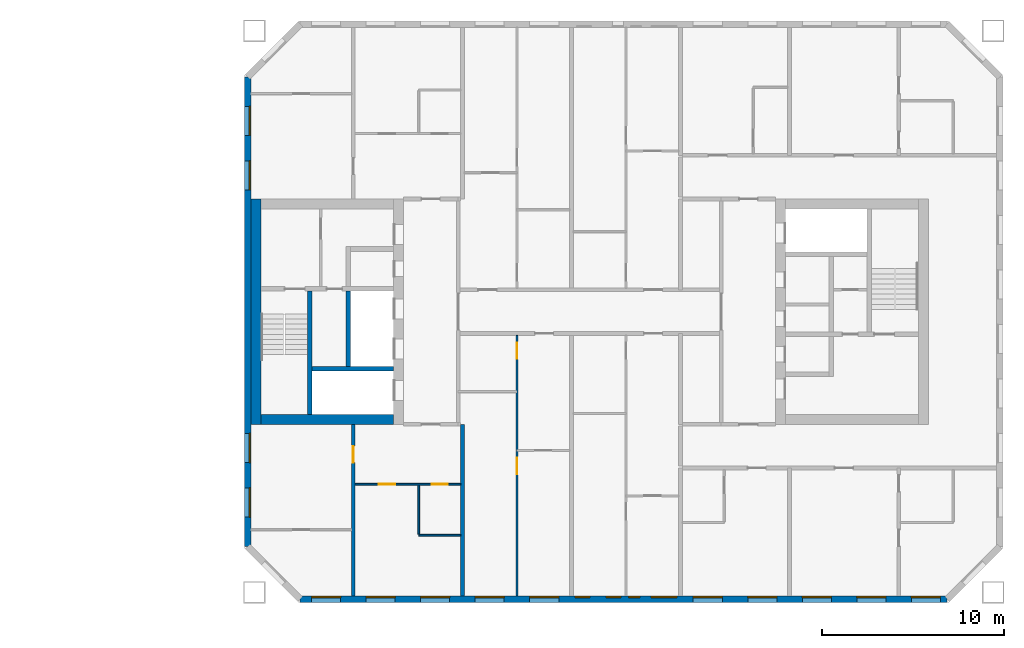
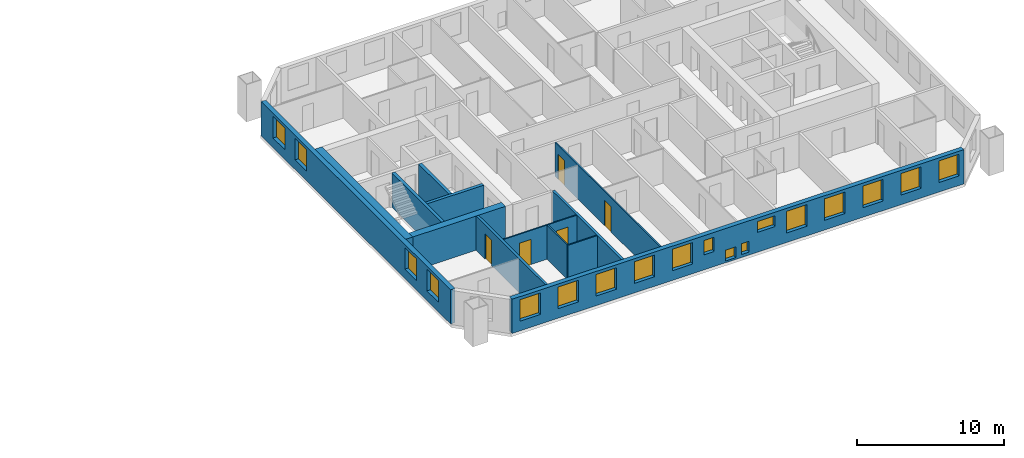
# One storey, part 9 of 16: 18 windows, 13 walls, 5 doors, 23 openings.
"""IFC4 building model written with IfcOpenShell, lengths in metres."""

from ifc_helpers import new_model, si_unit, direction, frame, frame_2d, origin, place, context, subcontext, project, spatial, rectangle, extrude, material, layer, layer_set, type_object, element, fill, save


model = new_model("IFC4")

# Units and contexts
model_context = context("Model", 3, precision=1e-05, world=origin(), true_north=direction((0.0, 1.0)))
body_context = subcontext(model_context, "Body", "Model", "MODEL_VIEW")
ifc_project = project(units=[si_unit("LENGTHUNIT", "METRE"), si_unit("AREAUNIT", "SQUARE_METRE"), si_unit("VOLUMEUNIT", "CUBIC_METRE"), si_unit("PLANEANGLEUNIT", "RADIAN"), si_unit("MASSUNIT", "GRAM", prefix="KILO")], contexts=[model_context])

# Site, building, storey
site_placement = place(None, origin())
site = spatial("IfcSite", under=ifc_project, at=site_placement, CompositionType="ELEMENT")
building_placement = place(site_placement, origin())
building = spatial("IfcBuilding", under=site, at=building_placement, Name="Tuart Gate Housing", CompositionType="ELEMENT")
storey_placement = place(building_placement, frame((0.0, 0.0, 139.199951171875)))
storey = spatial("IfcBuildingStorey", under=building, at=storey_placement, Name="L39", CompositionType="ELEMENT", Elevation=139.199951171875)

# Wall, openings, windows
ifc_material_1 = material(Name="Brick", Category="masonry")
ifc_layer_1 = layer(ifc_material_1, 0.360107421875)
ifc_layer_set_1 = layer_set([ifc_layer_1], Name="Brick pier and spandrel wall 360")
wall_type_1 = type_object("IfcWallType", Name="Brick pier and spandrel wall 360", PredefinedType="STANDARD", material=ifc_layer_set_1)
wall_1_placement = place(storey_placement, frame((134.07470703125, 54.179931640625, 0.0), z_axis=(0.0, 0.0, 1.0), x_axis=(1.0, 0.0, 0.0)))
wall_1 = element("IfcWall", 1, at=wall_1_placement, inside=storey, type_object=wall_type_1, Name="External wall B-S L39", PredefinedType="STANDARD", context=body_context, shape_type="SweptSolid", body=[
    extrude(rectangle(XDim=35.600830078125, YDim=0.360107421875, at=frame_2d((17.80029296875, 0.0))), origin(), (0.0, 0.0, 1.0), 2.85009765625),
])
opening_1_placement = place(wall_1_placement, frame((0.62548828125, 0.0, 0.800048828125)))
opening_1 = element("IfcOpeningElement", 2, at=opening_1_placement, cuts=wall_1, Name="Opening W1", PredefinedType="OPENING", context=body_context, shape_type="SweptSolid", body=[
    extrude(rectangle(XDim=1.60009765625, YDim=1.800048828125, at=frame_2d((0.800048828125, 0.89990234375))), frame((0.0, 0.18994140625, 0.0), z_axis=(0.0, -1.0, 0.0), x_axis=(1.0, 0.0, 0.0)), (0.0, 0.0, 1.0), 0.380126953125),
])
opening_2_placement = place(wall_1_placement, frame((3.62548828125, 0.0, 0.800048828125)))
opening_2 = element("IfcOpeningElement", 3, at=opening_2_placement, cuts=wall_1, Name="Opening W1", PredefinedType="OPENING", context=body_context, shape_type="SweptSolid", body=[
    extrude(rectangle(XDim=1.60009765625, YDim=1.800048828125, at=frame_2d((0.800048828125, 0.89990234375))), frame((0.0, 0.18994140625, 0.0), z_axis=(0.0, -1.0, 0.0), x_axis=(1.0, 0.0, 0.0)), (0.0, 0.0, 1.0), 0.380126953125),
])
opening_3_placement = place(wall_1_placement, frame((6.62548828125, 0.0, 0.800048828125)))
opening_3 = element("IfcOpeningElement", 4, at=opening_3_placement, cuts=wall_1, Name="Opening W1", PredefinedType="OPENING", context=body_context, shape_type="SweptSolid", body=[
    extrude(rectangle(XDim=1.60009765625, YDim=1.800048828125, at=frame_2d((0.800048828125, 0.89990234375))), frame((0.0, 0.18994140625, 0.0), z_axis=(0.0, -1.0, 0.0), x_axis=(1.0, 0.0, 0.0)), (0.0, 0.0, 1.0), 0.380126953125),
])
opening_4_placement = place(wall_1_placement, frame((9.62548828125, 0.0, 0.800048828125)))
opening_4 = element("IfcOpeningElement", 5, at=opening_4_placement, cuts=wall_1, Name="Opening W1", PredefinedType="OPENING", context=body_context, shape_type="SweptSolid", body=[
    extrude(rectangle(XDim=1.60009765625, YDim=1.800048828125, at=frame_2d((0.800048828125, 0.89990234375))), frame((0.0, 0.18994140625, 0.0), z_axis=(0.0, -1.0, 0.0), x_axis=(1.0, 0.0, 0.0)), (0.0, 0.0, 1.0), 0.380126953125),
])
opening_5_placement = place(wall_1_placement, frame((12.62548828125, 0.0, 0.800048828125)))
opening_5 = element("IfcOpeningElement", 6, at=opening_5_placement, cuts=wall_1, Name="Opening W1", PredefinedType="OPENING", context=body_context, shape_type="SweptSolid", body=[
    extrude(rectangle(XDim=1.60009765625, YDim=1.800048828125, at=frame_2d((0.800048828125, 0.89990234375))), frame((0.0, 0.18994140625, 0.0), z_axis=(0.0, -1.0, 0.0), x_axis=(1.0, 0.0, 0.0)), (0.0, 0.0, 1.0), 0.380126953125),
])
opening_6_placement = place(wall_1_placement, frame((15.12548828125, 0.0, 1.25)))
opening_6 = element("IfcOpeningElement", 7, at=opening_6_placement, cuts=wall_1, Name="Opening W1P", PredefinedType="OPENING", context=body_context, shape_type="SweptSolid", body=[
    extrude(rectangle(XDim=0.800048828125, YDim=1.199951171875, at=frame_2d((0.39990234375, 0.60009765625))), frame((0.0, 0.18994140625, 0.0), z_axis=(0.0, -1.0, 0.0), x_axis=(1.0, 0.0, 0.0)), (0.0, 0.0, 1.0), 0.380126953125),
])
opening_7_placement = place(wall_1_placement, frame((18.075439453125, 0.0, 0.25)))
opening_7 = element("IfcOpeningElement", 8, at=opening_7_placement, cuts=wall_1, Name="Opening W1W", PredefinedType="OPENING", context=body_context, shape_type="SweptSolid", body=[
    extrude(rectangle(XDim=0.60009765625, YDim=0.89990234375, at=frame_2d((0.300048828125, 0.449951171875))), frame((0.0, 0.18994140625, 0.0), z_axis=(0.0, -1.0, 0.0), x_axis=(1.0, 0.0, 0.0)), (0.0, 0.0, 1.0), 0.380126953125),
])
opening_8_placement = place(wall_1_placement, frame((21.62548828125, 0.0, 0.800048828125)))
opening_8 = element("IfcOpeningElement", 9, at=opening_8_placement, cuts=wall_1, Name="Opening W1", PredefinedType="OPENING", context=body_context, shape_type="SweptSolid", body=[
    extrude(rectangle(XDim=1.60009765625, YDim=1.800048828125, at=frame_2d((0.800048828125, 0.89990234375))), frame((0.0, 0.18994140625, 0.0), z_axis=(0.0, -1.0, 0.0), x_axis=(1.0, 0.0, 0.0)), (0.0, 0.0, 1.0), 0.380126953125),
])
opening_9_placement = place(wall_1_placement, frame((24.62548828125, 0.0, 0.800048828125)))
opening_9 = element("IfcOpeningElement", 10, at=opening_9_placement, cuts=wall_1, Name="Opening W1", PredefinedType="OPENING", context=body_context, shape_type="SweptSolid", body=[
    extrude(rectangle(XDim=1.60009765625, YDim=1.800048828125, at=frame_2d((0.800048828125, 0.89990234375))), frame((0.0, 0.18994140625, 0.0), z_axis=(0.0, -1.0, 0.0), x_axis=(1.0, 0.0, 0.0)), (0.0, 0.0, 1.0), 0.380126953125),
])
opening_10_placement = place(wall_1_placement, frame((27.62548828125, 0.0, 0.800048828125)))
opening_10 = element("IfcOpeningElement", 11, at=opening_10_placement, cuts=wall_1, Name="Opening W1", PredefinedType="OPENING", context=body_context, shape_type="SweptSolid", body=[
    extrude(rectangle(XDim=1.60009765625, YDim=1.800048828125, at=frame_2d((0.800048828125, 0.89990234375))), frame((0.0, 0.18994140625, 0.0), z_axis=(0.0, -1.0, 0.0), x_axis=(1.0, 0.0, 0.0)), (0.0, 0.0, 1.0), 0.380126953125),
])
opening_11_placement = place(wall_1_placement, frame((30.62548828125, 0.0, 0.800048828125)))
opening_11 = element("IfcOpeningElement", 12, at=opening_11_placement, cuts=wall_1, Name="Opening W1", PredefinedType="OPENING", context=body_context, shape_type="SweptSolid", body=[
    extrude(rectangle(XDim=1.60009765625, YDim=1.800048828125, at=frame_2d((0.800048828125, 0.89990234375))), frame((0.0, 0.18994140625, 0.0), z_axis=(0.0, -1.0, 0.0), x_axis=(1.0, 0.0, 0.0)), (0.0, 0.0, 1.0), 0.380126953125),
])
opening_12_placement = place(wall_1_placement, frame((33.62548828125, 0.0, 0.800048828125)))
opening_12 = element("IfcOpeningElement", 13, at=opening_12_placement, cuts=wall_1, Name="Opening W1", PredefinedType="OPENING", context=body_context, shape_type="SweptSolid", body=[
    extrude(rectangle(XDim=1.60009765625, YDim=1.800048828125, at=frame_2d((0.800048828125, 0.89990234375))), frame((0.0, 0.18994140625, 0.0), z_axis=(0.0, -1.0, 0.0), x_axis=(1.0, 0.0, 0.0)), (0.0, 0.0, 1.0), 0.380126953125),
])
opening_13_placement = place(wall_1_placement, frame((16.825439453125, 0.0, 0.14990234375)))
opening_13 = element("IfcOpeningElement", 14, at=opening_13_placement, cuts=wall_1, Name="Opening W1V", PredefinedType="OPENING", context=body_context, shape_type="SweptSolid", body=[
    extrude(rectangle(XDim=0.800048828125, YDim=0.89990234375, at=frame_2d((0.39990234375, 0.449951171875))), frame((0.0, 0.18994140625, 0.0), z_axis=(0.0, -1.0, 0.0), x_axis=(1.0, 0.0, 0.0)), (0.0, 0.0, 1.0), 0.380126953125),
])
opening_14_placement = place(wall_1_placement, frame((19.325439453125, 0.0, 1.64990234375)))
opening_14 = element("IfcOpeningElement", 15, at=opening_14_placement, cuts=wall_1, Name="Opening W1S", PredefinedType="OPENING", context=body_context, shape_type="SweptSolid", body=[
    extrude(rectangle(XDim=1.39990234375, YDim=0.89990234375, at=frame_2d((0.699951171875, 0.449951171875))), frame((0.0, 0.18994140625, 0.0), z_axis=(0.0, -1.0, 0.0), x_axis=(1.0, 0.0, 0.0)), (0.0, 0.0, 1.0), 0.380126953125),
])
ifc_material_2 = material(Name="Aluminium frame with clear glass", Category="aluminium")
window_type_1 = type_object("IfcWindowType", Name="Punched window 1400 x 900", PartitioningType="SINGLE_PANEL", PredefinedType="WINDOW", material=ifc_material_2)
window_1_placement = place(opening_14_placement, origin())
window_1 = element("IfcWindow", 16, at=window_1_placement, inside=storey, type_object=window_type_1, Name="Window W1S", OverallHeight=0.89990234375, OverallWidth=1.39990234375, PartitioningType="SINGLE_PANEL", PredefinedType="WINDOW", context=body_context, shape_type="SweptSolid", body=[
    extrude(rectangle(XDim=1.39990234375, YDim=0.89990234375, at=frame_2d((0.699951171875, 0.449951171875))), frame((0.0, 0.150146484375, 0.0), z_axis=(0.0, -1.0, 0.0), x_axis=(1.0, 0.0, 0.0)), (0.0, 0.0, 1.0), 0.06005859375),
])
fill(opening_14, window_1)
ifc_material_3 = material(Name="Aluminium frame with clear glass", Category="aluminium")
window_type_2 = type_object("IfcWindowType", Name="Punched window 1600 x 1800", PartitioningType="SINGLE_PANEL", PredefinedType="WINDOW", material=ifc_material_3)
window_2_placement = place(opening_1_placement, origin())
window_2 = element("IfcWindow", 17, at=window_2_placement, inside=storey, type_object=window_type_2, Name="Window W1", OverallHeight=1.800048828125, OverallWidth=1.60009765625, PartitioningType="SINGLE_PANEL", PredefinedType="WINDOW", context=body_context, shape_type="SweptSolid", body=[
    extrude(rectangle(XDim=1.60009765625, YDim=1.800048828125, at=frame_2d((0.800048828125, 0.89990234375))), frame((0.0, 0.150146484375, 0.0), z_axis=(0.0, -1.0, 0.0), x_axis=(1.0, 0.0, 0.0)), (0.0, 0.0, 1.0), 0.06005859375),
])
fill(opening_1, window_2)
window_3_placement = place(opening_2_placement, origin())
window_3 = element("IfcWindow", 18, at=window_3_placement, inside=storey, type_object=window_type_2, Name="Window W1", OverallHeight=1.800048828125, OverallWidth=1.60009765625, PartitioningType="SINGLE_PANEL", PredefinedType="WINDOW", context=body_context, shape_type="SweptSolid", body=[
    extrude(rectangle(XDim=1.60009765625, YDim=1.800048828125, at=frame_2d((0.800048828125, 0.89990234375))), frame((0.0, 0.150146484375, 0.0), z_axis=(0.0, -1.0, 0.0), x_axis=(1.0, 0.0, 0.0)), (0.0, 0.0, 1.0), 0.06005859375),
])
fill(opening_2, window_3)
window_4_placement = place(opening_3_placement, origin())
window_4 = element("IfcWindow", 19, at=window_4_placement, inside=storey, type_object=window_type_2, Name="Window W1", OverallHeight=1.800048828125, OverallWidth=1.60009765625, PartitioningType="SINGLE_PANEL", PredefinedType="WINDOW", context=body_context, shape_type="SweptSolid", body=[
    extrude(rectangle(XDim=1.60009765625, YDim=1.800048828125, at=frame_2d((0.800048828125, 0.89990234375))), frame((0.0, 0.150146484375, 0.0), z_axis=(0.0, -1.0, 0.0), x_axis=(1.0, 0.0, 0.0)), (0.0, 0.0, 1.0), 0.06005859375),
])
fill(opening_3, window_4)
window_5_placement = place(opening_4_placement, origin())
window_5 = element("IfcWindow", 20, at=window_5_placement, inside=storey, type_object=window_type_2, Name="Window W1", OverallHeight=1.800048828125, OverallWidth=1.60009765625, PartitioningType="SINGLE_PANEL", PredefinedType="WINDOW", context=body_context, shape_type="SweptSolid", body=[
    extrude(rectangle(XDim=1.60009765625, YDim=1.800048828125, at=frame_2d((0.800048828125, 0.89990234375))), frame((0.0, 0.150146484375, 0.0), z_axis=(0.0, -1.0, 0.0), x_axis=(1.0, 0.0, 0.0)), (0.0, 0.0, 1.0), 0.06005859375),
])
fill(opening_4, window_5)
window_6_placement = place(opening_5_placement, origin())
window_6 = element("IfcWindow", 21, at=window_6_placement, inside=storey, type_object=window_type_2, Name="Window W1", OverallHeight=1.800048828125, OverallWidth=1.60009765625, PartitioningType="SINGLE_PANEL", PredefinedType="WINDOW", context=body_context, shape_type="SweptSolid", body=[
    extrude(rectangle(XDim=1.60009765625, YDim=1.800048828125, at=frame_2d((0.800048828125, 0.89990234375))), frame((0.0, 0.150146484375, 0.0), z_axis=(0.0, -1.0, 0.0), x_axis=(1.0, 0.0, 0.0)), (0.0, 0.0, 1.0), 0.06005859375),
])
fill(opening_5, window_6)
window_7_placement = place(opening_8_placement, origin())
window_7 = element("IfcWindow", 22, at=window_7_placement, inside=storey, type_object=window_type_2, Name="Window W1", OverallHeight=1.800048828125, OverallWidth=1.60009765625, PartitioningType="SINGLE_PANEL", PredefinedType="WINDOW", context=body_context, shape_type="SweptSolid", body=[
    extrude(rectangle(XDim=1.60009765625, YDim=1.800048828125, at=frame_2d((0.800048828125, 0.89990234375))), frame((0.0, 0.150146484375, 0.0), z_axis=(0.0, -1.0, 0.0), x_axis=(1.0, 0.0, 0.0)), (0.0, 0.0, 1.0), 0.06005859375),
])
fill(opening_8, window_7)
window_8_placement = place(opening_9_placement, origin())
window_8 = element("IfcWindow", 23, at=window_8_placement, inside=storey, type_object=window_type_2, Name="Window W1", OverallHeight=1.800048828125, OverallWidth=1.60009765625, PartitioningType="SINGLE_PANEL", PredefinedType="WINDOW", context=body_context, shape_type="SweptSolid", body=[
    extrude(rectangle(XDim=1.60009765625, YDim=1.800048828125, at=frame_2d((0.800048828125, 0.89990234375))), frame((0.0, 0.150146484375, 0.0), z_axis=(0.0, -1.0, 0.0), x_axis=(1.0, 0.0, 0.0)), (0.0, 0.0, 1.0), 0.06005859375),
])
fill(opening_9, window_8)
window_9_placement = place(opening_10_placement, origin())
window_9 = element("IfcWindow", 24, at=window_9_placement, inside=storey, type_object=window_type_2, Name="Window W1", OverallHeight=1.800048828125, OverallWidth=1.60009765625, PartitioningType="SINGLE_PANEL", PredefinedType="WINDOW", context=body_context, shape_type="SweptSolid", body=[
    extrude(rectangle(XDim=1.60009765625, YDim=1.800048828125, at=frame_2d((0.800048828125, 0.89990234375))), frame((0.0, 0.150146484375, 0.0), z_axis=(0.0, -1.0, 0.0), x_axis=(1.0, 0.0, 0.0)), (0.0, 0.0, 1.0), 0.06005859375),
])
fill(opening_10, window_9)
window_10_placement = place(opening_11_placement, origin())
window_10 = element("IfcWindow", 25, at=window_10_placement, inside=storey, type_object=window_type_2, Name="Window W1", OverallHeight=1.800048828125, OverallWidth=1.60009765625, PartitioningType="SINGLE_PANEL", PredefinedType="WINDOW", context=body_context, shape_type="SweptSolid", body=[
    extrude(rectangle(XDim=1.60009765625, YDim=1.800048828125, at=frame_2d((0.800048828125, 0.89990234375))), frame((0.0, 0.150146484375, 0.0), z_axis=(0.0, -1.0, 0.0), x_axis=(1.0, 0.0, 0.0)), (0.0, 0.0, 1.0), 0.06005859375),
])
fill(opening_11, window_10)
window_11_placement = place(opening_12_placement, origin())
window_11 = element("IfcWindow", 26, at=window_11_placement, inside=storey, type_object=window_type_2, Name="Window W1", OverallHeight=1.800048828125, OverallWidth=1.60009765625, PartitioningType="SINGLE_PANEL", PredefinedType="WINDOW", context=body_context, shape_type="SweptSolid", body=[
    extrude(rectangle(XDim=1.60009765625, YDim=1.800048828125, at=frame_2d((0.800048828125, 0.89990234375))), frame((0.0, 0.150146484375, 0.0), z_axis=(0.0, -1.0, 0.0), x_axis=(1.0, 0.0, 0.0)), (0.0, 0.0, 1.0), 0.06005859375),
])
fill(opening_12, window_11)
ifc_material_4 = material(Name="Aluminium frame with clear glass", Category="aluminium")
window_type_3 = type_object("IfcWindowType", Name="Punched window 600 x 900", PartitioningType="SINGLE_PANEL", PredefinedType="WINDOW", material=ifc_material_4)
window_12_placement = place(opening_7_placement, origin())
window_12 = element("IfcWindow", 27, at=window_12_placement, inside=storey, type_object=window_type_3, Name="Window W1W", OverallHeight=0.89990234375, OverallWidth=0.60009765625, PartitioningType="SINGLE_PANEL", PredefinedType="WINDOW", context=body_context, shape_type="SweptSolid", body=[
    extrude(rectangle(XDim=0.60009765625, YDim=0.89990234375, at=frame_2d((0.300048828125, 0.449951171875))), frame((0.0, 0.150146484375, 0.0), z_axis=(0.0, -1.0, 0.0), x_axis=(1.0, 0.0, 0.0)), (0.0, 0.0, 1.0), 0.06005859375),
])
fill(opening_7, window_12)
ifc_material_5 = material(Name="Aluminium frame with clear glass", Category="aluminium")
window_type_4 = type_object("IfcWindowType", Name="Punched window 800 x 1200", PartitioningType="SINGLE_PANEL", PredefinedType="WINDOW", material=ifc_material_5)
window_13_placement = place(opening_6_placement, origin())
window_13 = element("IfcWindow", 28, at=window_13_placement, inside=storey, type_object=window_type_4, Name="Window W1P", OverallHeight=1.199951171875, OverallWidth=0.800048828125, PartitioningType="SINGLE_PANEL", PredefinedType="WINDOW", context=body_context, shape_type="SweptSolid", body=[
    extrude(rectangle(XDim=0.800048828125, YDim=1.199951171875, at=frame_2d((0.39990234375, 0.60009765625))), frame((0.0, 0.150146484375, 0.0), z_axis=(0.0, -1.0, 0.0), x_axis=(1.0, 0.0, 0.0)), (0.0, 0.0, 1.0), 0.06005859375),
])
fill(opening_6, window_13)
ifc_material_6 = material(Name="Aluminium frame with clear glass", Category="aluminium")
window_type_5 = type_object("IfcWindowType", Name="Punched window 800 x 900", PartitioningType="SINGLE_PANEL", PredefinedType="WINDOW", material=ifc_material_6)
window_14_placement = place(opening_13_placement, origin())
window_14 = element("IfcWindow", 29, at=window_14_placement, inside=storey, type_object=window_type_5, Name="Window W1V", OverallHeight=0.89990234375, OverallWidth=0.800048828125, PartitioningType="SINGLE_PANEL", PredefinedType="WINDOW", context=body_context, shape_type="SweptSolid", body=[
    extrude(rectangle(XDim=0.800048828125, YDim=0.89990234375, at=frame_2d((0.39990234375, 0.449951171875))), frame((0.0, 0.150146484375, 0.0), z_axis=(0.0, -1.0, 0.0), x_axis=(1.0, 0.0, 0.0)), (0.0, 0.0, 1.0), 0.06005859375),
])
fill(opening_13, window_14)

wall_2_placement = place(storey_placement, frame((131.179931640625, 82.92529296875, 0.0), z_axis=(0.0, 0.0, 1.0), x_axis=(0.0, -1.0, 0.0)))
wall_2 = element("IfcWall", 30, at=wall_2_placement, inside=storey, type_object=wall_type_1, Name="External wall B-W L39", PredefinedType="STANDARD", context=body_context, shape_type="SweptSolid", body=[
    extrude(rectangle(XDim=25.850830078125, YDim=0.360107421875, at=frame_2d((12.92529296875, 0.0))), origin(), (0.0, 0.0, 1.0), 2.85009765625),
])
opening_15_placement = place(wall_2_placement, frame((1.62548828125, 0.0, 0.800048828125)))
opening_15 = element("IfcOpeningElement", 31, at=opening_15_placement, cuts=wall_2, Name="Opening W1", PredefinedType="OPENING", context=body_context, shape_type="SweptSolid", body=[
    extrude(rectangle(XDim=1.60009765625, YDim=1.800048828125, at=frame_2d((0.800048828125, 0.89990234375))), frame((0.0, 0.18994140625, 0.0), z_axis=(0.0, -1.0, 0.0), x_axis=(1.0, 0.0, 0.0)), (0.0, 0.0, 1.0), 0.380126953125),
])
opening_16_placement = place(wall_2_placement, frame((4.62548828125, 0.0, 0.800048828125)))
opening_16 = element("IfcOpeningElement", 32, at=opening_16_placement, cuts=wall_2, Name="Opening W1", PredefinedType="OPENING", context=body_context, shape_type="SweptSolid", body=[
    extrude(rectangle(XDim=1.60009765625, YDim=1.800048828125, at=frame_2d((0.800048828125, 0.89990234375))), frame((0.0, 0.18994140625, 0.0), z_axis=(0.0, -1.0, 0.0), x_axis=(1.0, 0.0, 0.0)), (0.0, 0.0, 1.0), 0.380126953125),
])
opening_17_placement = place(wall_2_placement, frame((19.62548828125, 0.0, 0.800048828125)))
opening_17 = element("IfcOpeningElement", 33, at=opening_17_placement, cuts=wall_2, Name="Opening W1", PredefinedType="OPENING", context=body_context, shape_type="SweptSolid", body=[
    extrude(rectangle(XDim=1.60009765625, YDim=1.800048828125, at=frame_2d((0.800048828125, 0.89990234375))), frame((0.0, 0.18994140625, 0.0), z_axis=(0.0, -1.0, 0.0), x_axis=(1.0, 0.0, 0.0)), (0.0, 0.0, 1.0), 0.380126953125),
])
opening_18_placement = place(wall_2_placement, frame((22.62548828125, 0.0, 0.800048828125)))
opening_18 = element("IfcOpeningElement", 34, at=opening_18_placement, cuts=wall_2, Name="Opening W1", PredefinedType="OPENING", context=body_context, shape_type="SweptSolid", body=[
    extrude(rectangle(XDim=1.60009765625, YDim=1.800048828125, at=frame_2d((0.800048828125, 0.89990234375))), frame((0.0, 0.18994140625, 0.0), z_axis=(0.0, -1.0, 0.0), x_axis=(1.0, 0.0, 0.0)), (0.0, 0.0, 1.0), 0.380126953125),
])
window_15_placement = place(opening_15_placement, origin())
window_15 = element("IfcWindow", 35, at=window_15_placement, inside=storey, type_object=window_type_2, Name="Window W1", OverallHeight=1.800048828125, OverallWidth=1.60009765625, PartitioningType="SINGLE_PANEL", PredefinedType="WINDOW", context=body_context, shape_type="SweptSolid", body=[
    extrude(rectangle(XDim=1.60009765625, YDim=1.800048828125, at=frame_2d((0.800048828125, 0.89990234375))), frame((0.0, 0.150146484375, 0.0), z_axis=(0.0, -1.0, 0.0), x_axis=(1.0, 0.0, 0.0)), (0.0, 0.0, 1.0), 0.06005859375),
])
fill(opening_15, window_15)
window_16_placement = place(opening_16_placement, origin())
window_16 = element("IfcWindow", 36, at=window_16_placement, inside=storey, type_object=window_type_2, Name="Window W1", OverallHeight=1.800048828125, OverallWidth=1.60009765625, PartitioningType="SINGLE_PANEL", PredefinedType="WINDOW", context=body_context, shape_type="SweptSolid", body=[
    extrude(rectangle(XDim=1.60009765625, YDim=1.800048828125, at=frame_2d((0.800048828125, 0.89990234375))), frame((0.0, 0.150146484375, 0.0), z_axis=(0.0, -1.0, 0.0), x_axis=(1.0, 0.0, 0.0)), (0.0, 0.0, 1.0), 0.06005859375),
])
fill(opening_16, window_16)
window_17_placement = place(opening_17_placement, origin())
window_17 = element("IfcWindow", 37, at=window_17_placement, inside=storey, type_object=window_type_2, Name="Window W1", OverallHeight=1.800048828125, OverallWidth=1.60009765625, PartitioningType="SINGLE_PANEL", PredefinedType="WINDOW", context=body_context, shape_type="SweptSolid", body=[
    extrude(rectangle(XDim=1.60009765625, YDim=1.800048828125, at=frame_2d((0.800048828125, 0.89990234375))), frame((0.0, 0.150146484375, 0.0), z_axis=(0.0, -1.0, 0.0), x_axis=(1.0, 0.0, 0.0)), (0.0, 0.0, 1.0), 0.06005859375),
])
fill(opening_17, window_17)
window_18_placement = place(opening_18_placement, origin())
window_18 = element("IfcWindow", 38, at=window_18_placement, inside=storey, type_object=window_type_2, Name="Window W1", OverallHeight=1.800048828125, OverallWidth=1.60009765625, PartitioningType="SINGLE_PANEL", PredefinedType="WINDOW", context=body_context, shape_type="SweptSolid", body=[
    extrude(rectangle(XDim=1.60009765625, YDim=1.800048828125, at=frame_2d((0.800048828125, 0.89990234375))), frame((0.0, 0.150146484375, 0.0), z_axis=(0.0, -1.0, 0.0), x_axis=(1.0, 0.0, 0.0)), (0.0, 0.0, 1.0), 0.06005859375),
])
fill(opening_18, window_18)

# Walls
ifc_material_7 = material(Name="Concrete C50", Category="concrete")
ifc_layer_2 = layer(ifc_material_7, 0.25)
ifc_layer_set_2 = layer_set([ifc_layer_2], Name="Core wall 250 C50")
wall_type_2 = type_object("IfcWallType", Name="Core wall 250 C50", PredefinedType="SHEAR", material=ifc_layer_set_2)
wall_3_placement = place(storey_placement, frame((139.2099609375, 66.85009765625, 0.0), z_axis=(0.0, 0.0, 1.0), x_axis=(-1.0, 0.0, 0.0)))
element("IfcWall", 39, at=wall_3_placement, inside=storey, type_object=wall_type_2, Name="Core wall BG.1", PredefinedType="SHEAR", context=body_context, shape_type="SweptSolid", body=[
    extrude(rectangle(XDim=4.474853515625, YDim=0.25, at=frame_2d((2.2373046875, 0.0))), origin(), (0.0, 0.0, 1.0), 2.85009765625),
])
wall_4_placement = place(storey_placement, frame((136.7099609375, 66.97509765625, 0.0), z_axis=(0.0, 0.0, 1.0), x_axis=(0.0, 1.0, 0.0)))
element("IfcWall", 40, at=wall_4_placement, inside=storey, type_object=wall_type_2, Name="Core wall BG.4", PredefinedType="SHEAR", context=body_context, shape_type="SweptSolid", body=[
    extrude(rectangle(XDim=4.14990234375, YDim=0.25, at=frame_2d((2.074951171875, 0.0))), origin(), (0.0, 0.0, 1.0), 2.85009765625),
])
wall_5_placement = place(storey_placement, frame((134.610107421875, 64.35009765625, 0.0), z_axis=(0.0, 0.0, 1.0), x_axis=(0.0, 1.0, 0.0)))
element("IfcWall", 41, at=wall_5_placement, inside=storey, type_object=wall_type_2, Name="Core wall BG.7", PredefinedType="SHEAR", context=body_context, shape_type="SweptSolid", body=[
    extrude(rectangle(XDim=6.77490234375, YDim=0.25, at=frame_2d((3.387451171875, 0.0))), origin(), (0.0, 0.0, 1.0), 2.85009765625),
])
ifc_material_8 = material(Name="Concrete C50", Category="concrete")
ifc_layer_3 = layer(ifc_material_8, 0.550048828125)
ifc_layer_set_3 = layer_set([ifc_layer_3], Name="Core wall 550 C50")
wall_type_3 = type_object("IfcWallType", Name="Core wall 550 C50", PredefinedType="SHEAR", material=ifc_layer_set_3)
wall_6_placement = place(storey_placement, frame((131.635009765625, 63.800048828125, 0.0), z_axis=(0.0, 0.0, 1.0), x_axis=(0.0, 1.0, 0.0)))
element("IfcWall", 42, at=wall_6_placement, inside=storey, type_object=wall_type_3, Name="Core wall BG back", PredefinedType="SHEAR", context=body_context, shape_type="SweptSolid", body=[
    extrude(rectangle(XDim=12.39990234375, YDim=0.550048828125, at=frame_2d((6.199951171875, 0.0))), origin(), (0.0, 0.0, 1.0), 2.85009765625),
])
wall_7_placement = place(storey_placement, frame((139.2099609375, 64.074951171875, 0.0), z_axis=(0.0, 0.0, 1.0), x_axis=(-1.0, 0.0, 0.0)))
element("IfcWall", 43, at=wall_7_placement, inside=storey, type_object=wall_type_3, Name="Core wall BG south", PredefinedType="SHEAR", context=body_context, shape_type="SweptSolid", body=[
    extrude(rectangle(XDim=7.300048828125, YDim=0.550048828125, at=frame_2d((3.64990234375, 0.0))), origin(), (0.0, 0.0, 1.0), 2.85009765625),
])
ifc_material_9 = material(Name="Gypsum board on steel studs", Category="steel")
ifc_layer_4 = layer(ifc_material_9, 0.10009765625)
ifc_layer_set_4 = layer_set([ifc_layer_4], Name="Partition 100")
wall_type_4 = type_object("IfcWallType", Name="Partition 100", PredefinedType="PARTITIONING", material=ifc_layer_set_4)
wall_8_placement = place(storey_placement, frame((140.60009765625, 57.699951171875, 0.0), z_axis=(0.0, 0.0, 1.0), x_axis=(1.0, 0.0, 0.0)))
element("IfcWall", 44, at=wall_8_placement, inside=storey, type_object=wall_type_4, Name="Partition 100", PredefinedType="PARTITIONING", context=body_context, shape_type="SweptSolid", body=[
    extrude(rectangle(XDim=2.2998046875, YDim=0.10009765625, at=frame_2d((1.14990234375, 0.0))), origin(), (0.0, 0.0, 1.0), 2.85009765625),
])

# Wall, openings, doors
wall_9_placement = place(storey_placement, frame((137.10009765625, 60.5, 0.0), z_axis=(0.0, 0.0, 1.0), x_axis=(1.0, 0.0, 0.0)))
wall_9 = element("IfcWall", 45, at=wall_9_placement, inside=storey, type_object=wall_type_4, Name="Partition 100", PredefinedType="PARTITIONING", context=body_context, shape_type="SweptSolid", body=[
    extrude(rectangle(XDim=5.7998046875, YDim=0.10009765625, at=frame_2d((2.89990234375, 0.0))), origin(), (0.0, 0.0, 1.0), 2.85009765625),
])
opening_19_placement = place(wall_9_placement, frame((1.300048828125, 0.0, 0.0)))
opening_19 = element("IfcOpeningElement", 46, at=opening_19_placement, cuts=wall_9, Name="Opening D1509", PredefinedType="OPENING", context=body_context, shape_type="SweptSolid", body=[
    extrude(rectangle(XDim=0.89990234375, YDim=2.10009765625, at=frame_2d((0.449951171875, 1.050048828125))), frame((0.0, 0.06005859375, 0.0), z_axis=(0.0, -1.0, 0.0), x_axis=(1.0, 0.0, 0.0)), (0.0, 0.0, 1.0), 0.1201171875),
])
opening_20_placement = place(wall_9_placement, frame((4.199951171875, 0.0, 0.0)))
opening_20 = element("IfcOpeningElement", 47, at=opening_20_placement, cuts=wall_9, Name="Opening D1508", PredefinedType="OPENING", context=body_context, shape_type="SweptSolid", body=[
    extrude(rectangle(XDim=0.89990234375, YDim=2.10009765625, at=frame_2d((0.449951171875, 1.050048828125))), frame((0.0, 0.06005859375, 0.0), z_axis=(0.0, -1.0, 0.0), x_axis=(1.0, 0.0, 0.0)), (0.0, 0.0, 1.0), 0.1201171875),
])
ifc_material_10 = material(Name="Timber door leaf in steel frame", Category="steel")
door_type_1 = type_object("IfcDoorType", Name="Bathroom door 900 RH", OperationType="SINGLE_SWING_RIGHT", PredefinedType="DOOR", material=ifc_material_10)
door_1_placement = place(opening_20_placement, frame((0.89990234375, 0.0, 0.0), z_axis=(0.0, 0.0, 1.0), x_axis=(-1.0, 0.0, 0.0)))
door_1 = element("IfcDoor", 48, at=door_1_placement, inside=storey, type_object=door_type_1, Name="Bathroom door", OperationType="SINGLE_SWING_RIGHT", OverallHeight=2.10009765625, OverallWidth=0.89990234375, PredefinedType="DOOR", context=body_context, shape_type="SweptSolid", body=[
    extrude(rectangle(XDim=0.89990234375, YDim=2.10009765625, at=frame_2d((0.449951171875, 1.050048828125))), frame((0.0, 0.025146484375, 0.0), z_axis=(0.0, -1.0, 0.0), x_axis=(1.0, 0.0, 0.0)), (0.0, 0.0, 1.0), 0.050048828125),
])
fill(opening_20, door_1)
ifc_material_11 = material(Name="Timber door leaf in steel frame", Category="steel")
door_type_2 = type_object("IfcDoorType", Name="Internal door 900", OperationType="SINGLE_SWING_LEFT", PredefinedType="DOOR", material=ifc_material_11)
door_2_placement = place(opening_19_placement, frame((0.89990234375, 0.0, 0.0), z_axis=(0.0, 0.0, 1.0), x_axis=(-1.0, 0.0, 0.0)))
door_2 = element("IfcDoor", 49, at=door_2_placement, inside=storey, type_object=door_type_2, Name="Internal door", OperationType="SINGLE_SWING_LEFT", OverallHeight=2.10009765625, OverallWidth=0.89990234375, PredefinedType="DOOR", context=body_context, shape_type="SweptSolid", body=[
    extrude(rectangle(XDim=0.89990234375, YDim=2.10009765625, at=frame_2d((0.449951171875, 1.050048828125))), frame((0.0, 0.025146484375, 0.0), z_axis=(0.0, -1.0, 0.0), x_axis=(1.0, 0.0, 0.0)), (0.0, 0.0, 1.0), 0.050048828125),
])
fill(opening_19, door_2)

# Wall
wall_10_placement = place(storey_placement, frame((140.60009765625, 57.75, 0.0), z_axis=(0.0, 0.0, 1.0), x_axis=(0.0, 1.0, 0.0)))
element("IfcWall", 50, at=wall_10_placement, inside=storey, type_object=wall_type_4, Name="Partition 100", PredefinedType="PARTITIONING", context=body_context, shape_type="SweptSolid", body=[
    extrude(rectangle(XDim=2.699951171875, YDim=0.10009765625, at=frame_2d((1.35009765625, 0.0))), origin(), (0.0, 0.0, 1.0), 2.85009765625),
])

# Wall, openings, doors
wall_11_placement = place(storey_placement, frame((146.0, 54.360107421875, 0.0), z_axis=(0.0, 0.0, 1.0), x_axis=(0.0, 1.0, 0.0)))
wall_11 = element("IfcWall", 51, at=wall_11_placement, inside=storey, type_object=wall_type_4, Name="Partition 100", PredefinedType="PARTITIONING", context=body_context, shape_type="SweptSolid", body=[
    extrude(rectangle(XDim=14.33984375, YDim=0.10009765625, at=frame_2d((7.169921875, 0.0))), origin(), (0.0, 0.0, 1.0), 2.85009765625),
])
opening_21_placement = place(wall_11_placement, frame((6.699951171875, 0.0, 0.0)))
opening_21 = element("IfcOpeningElement", 52, at=opening_21_placement, cuts=wall_11, Name="Opening D1503", PredefinedType="OPENING", context=body_context, shape_type="SweptSolid", body=[
    extrude(rectangle(XDim=0.89990234375, YDim=2.10009765625, at=frame_2d((0.449951171875, 1.050048828125))), frame((0.0, 0.06005859375, 0.0), z_axis=(0.0, -1.0, 0.0), x_axis=(1.0, 0.0, 0.0)), (0.0, 0.0, 1.0), 0.1201171875),
])
opening_22_placement = place(wall_11_placement, frame((13.0400390625, 0.0, 0.0)))
opening_22 = element("IfcOpeningElement", 53, at=opening_22_placement, cuts=wall_11, Name="Opening D1502", PredefinedType="OPENING", context=body_context, shape_type="SweptSolid", body=[
    extrude(rectangle(XDim=0.89990234375, YDim=2.10009765625, at=frame_2d((0.449951171875, 1.050048828125))), frame((0.0, 0.06005859375, 0.0), z_axis=(0.0, -1.0, 0.0), x_axis=(1.0, 0.0, 0.0)), (0.0, 0.0, 1.0), 0.1201171875),
])
door_3_placement = place(opening_22_placement, origin())
door_3 = element("IfcDoor", 54, at=door_3_placement, inside=storey, type_object=door_type_1, Name="Bathroom door", OperationType="SINGLE_SWING_RIGHT", OverallHeight=2.10009765625, OverallWidth=0.89990234375, PredefinedType="DOOR", context=body_context, shape_type="SweptSolid", body=[
    extrude(rectangle(XDim=0.89990234375, YDim=2.10009765625, at=frame_2d((0.449951171875, 1.050048828125))), frame((0.0, 0.02490234375, 0.0), z_axis=(0.0, -1.0, 0.0), x_axis=(1.0, 0.0, 0.0)), (0.0, 0.0, 1.0), 0.050048828125),
])
fill(opening_22, door_3)
ifc_material_12 = material(Name="Timber door leaf in steel frame", Category="steel")
door_type_3 = type_object("IfcDoorType", Name="Internal door 900 RH", OperationType="SINGLE_SWING_RIGHT", PredefinedType="DOOR", material=ifc_material_12)
door_4_placement = place(opening_21_placement, origin())
door_4 = element("IfcDoor", 55, at=door_4_placement, inside=storey, type_object=door_type_3, Name="Internal door", OperationType="SINGLE_SWING_RIGHT", OverallHeight=2.10009765625, OverallWidth=0.89990234375, PredefinedType="DOOR", context=body_context, shape_type="SweptSolid", body=[
    extrude(rectangle(XDim=0.89990234375, YDim=2.10009765625, at=frame_2d((0.449951171875, 1.050048828125))), frame((0.0, 0.02490234375, 0.0), z_axis=(0.0, -1.0, 0.0), x_axis=(1.0, 0.0, 0.0)), (0.0, 0.0, 1.0), 0.050048828125),
])
fill(opening_21, door_4)

# Wall, opening, door
ifc_material_13 = material(Name="Concrete C40", Category="concrete")
ifc_layer_5 = layer(ifc_material_13, 0.199951171875)
ifc_layer_set_5 = layer_set([ifc_layer_5], Name="Party wall concrete C40 200")
wall_type_5 = type_object("IfcWallType", Name="Party wall concrete C40 200", PredefinedType="SOLIDWALL", material=ifc_layer_set_5)
wall_12_placement = place(storey_placement, frame((137.0, 54.360107421875, 0.0), z_axis=(0.0, 0.0, 1.0), x_axis=(0.0, 1.0, 0.0)))
wall_12 = element("IfcWall", 56, at=wall_12_placement, inside=storey, type_object=wall_type_5, Name="Party wall concrete C40 200", PredefinedType="SOLIDWALL", context=body_context, shape_type="SweptSolid", body=[
    extrude(rectangle(XDim=9.43994140625, YDim=0.199951171875, at=frame_2d((4.719970703125, 0.0))), origin(), (0.0, 0.0, 1.0), 2.85009765625),
])
opening_23_placement = place(wall_12_placement, frame((7.340087890625, 0.0, 0.0)))
opening_23 = element("IfcOpeningElement", 57, at=opening_23_placement, cuts=wall_12, Name="Opening D1512", PredefinedType="OPENING", context=body_context, shape_type="SweptSolid", body=[
    extrude(rectangle(XDim=0.89990234375, YDim=2.10009765625, at=frame_2d((0.449951171875, 1.050048828125))), frame((0.0, 0.10986328125, 0.0), z_axis=(0.0, -1.0, 0.0), x_axis=(1.0, 0.0, 0.0)), (0.0, 0.0, 1.0), 0.219970703125),
])
door_5_placement = place(opening_23_placement, frame((0.89990234375, 0.0, 0.0), z_axis=(0.0, 0.0, 1.0), x_axis=(-1.0, 0.0, 0.0)))
door_5 = element("IfcDoor", 58, at=door_5_placement, inside=storey, type_object=door_type_3, Name="Internal door", OperationType="SINGLE_SWING_RIGHT", OverallHeight=2.10009765625, OverallWidth=0.89990234375, PredefinedType="DOOR", context=body_context, shape_type="SweptSolid", body=[
    extrude(rectangle(XDim=0.89990234375, YDim=2.10009765625, at=frame_2d((0.449951171875, 1.050048828125))), frame((0.0, 0.025146484375, 0.0), z_axis=(0.0, -1.0, 0.0), x_axis=(1.0, 0.0, 0.0)), (0.0, 0.0, 1.0), 0.050048828125),
])
fill(opening_23, door_5)

# Wall
wall_13_placement = place(storey_placement, frame((143.0, 54.360107421875, 0.0), z_axis=(0.0, 0.0, 1.0), x_axis=(0.0, 1.0, 0.0)))
element("IfcWall", 59, at=wall_13_placement, inside=storey, type_object=wall_type_5, Name="Party wall concrete C40 200", PredefinedType="SOLIDWALL", context=body_context, shape_type="SweptSolid", body=[
    extrude(rectangle(XDim=9.43994140625, YDim=0.199951171875, at=frame_2d((4.719970703125, 0.0))), origin(), (0.0, 0.0, 1.0), 2.85009765625),
])

save(model, "model.ifc")
